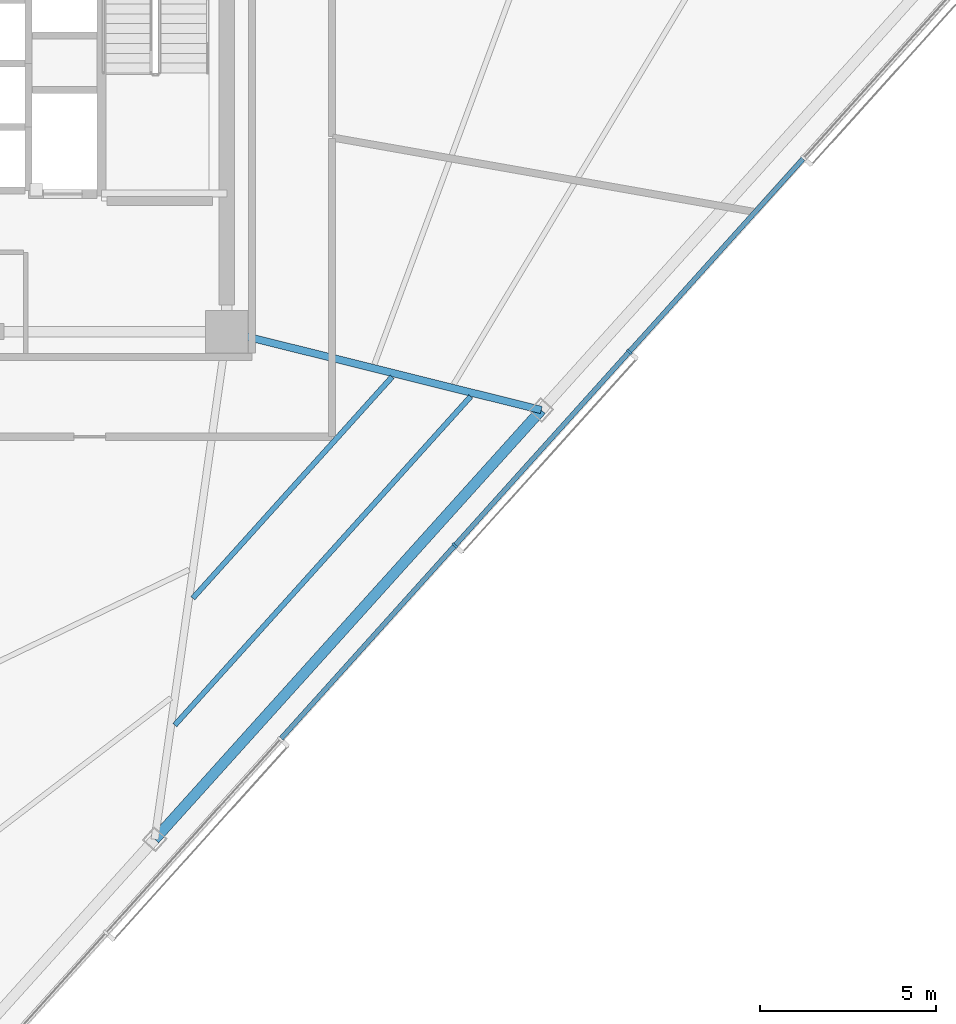
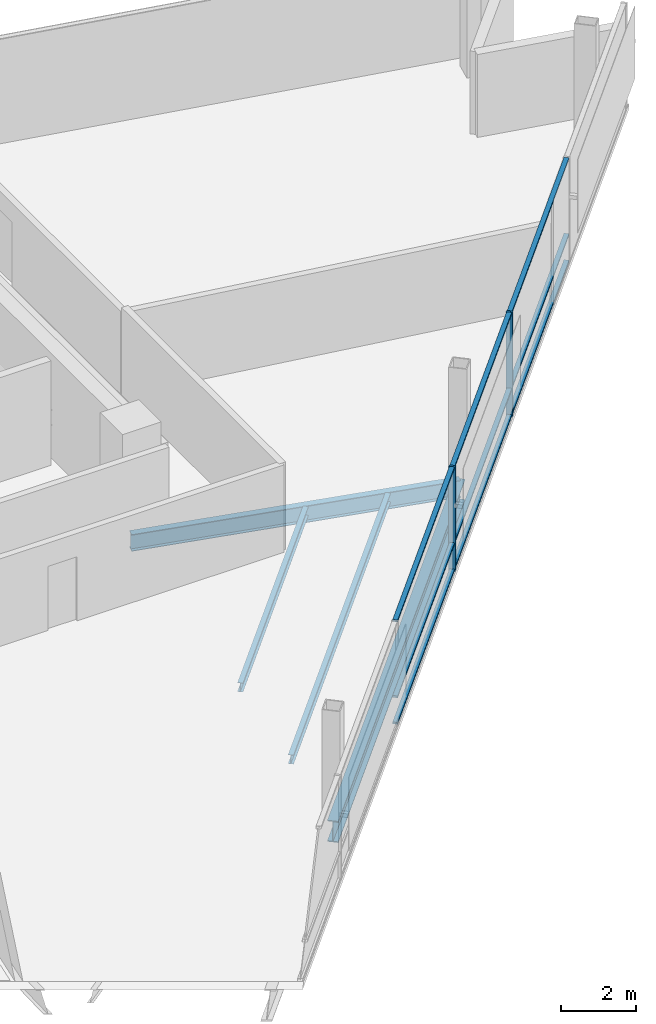
# One storey, part 4 of 16: 11 members, 4 beams, 1 element without a shape of its own.
"""IFC4 building model written with IfcOpenShell, lengths in metres."""

from ifc_helpers import new_model, si_unit, direction, frame, origin, origin_2d, place, context, subcontext, project, spatial, rectangle, i_section, extrude, material, layer, layer_set, material_profile, profile_set, type_object, element, aggregate, save


model = new_model("IFC4")

# Units and contexts
model_context = context("Model", 3, precision=1e-05, world=origin(), true_north=direction((0.0, 1.0)))
body_context = subcontext(model_context, "Body", "Model", "MODEL_VIEW")
ifc_project = project(units=[si_unit("LENGTHUNIT", "METRE"), si_unit("AREAUNIT", "SQUARE_METRE"), si_unit("VOLUMEUNIT", "CUBIC_METRE"), si_unit("PLANEANGLEUNIT", "RADIAN"), si_unit("MASSUNIT", "GRAM", prefix="KILO")], contexts=[model_context])

# Site, building, storey
site_placement = place(None, origin())
site = spatial("IfcSite", under=ifc_project, at=site_placement, CompositionType="ELEMENT")
building_placement = place(site_placement, origin())
building = spatial("IfcBuilding", under=site, at=building_placement, Name="Tharavind Bronze Gate", CompositionType="ELEMENT")
storey_placement = place(building_placement, frame((0.0, 0.0, 211.25)))
storey = spatial("IfcBuildingStorey", under=building, at=storey_placement, Name="L54", CompositionType="ELEMENT", Elevation=211.25)

# Curtain wall, members
ifc_material_1 = material(Name="Anodised Bronze Aluminium", Category="aluminium")
ifc_layer = layer(ifc_material_1, 0.219970703125)
ifc_layer_set = layer_set([ifc_layer], Name="Anodised Bronze Aluminium")
curtain_wall_type = type_object("IfcCurtainWallType", Name="UNITISED CURTAIN WALL MID OFFICE", PredefinedType="USERDEFINED", material=ifc_layer_set)
curtain_wall_placement = place(storey_placement, origin())
curtain_wall = element("IfcCurtainWall", 1, at=curtain_wall_placement, inside=storey, type_object=curtain_wall_type, Name="L54 unitised curtain wall mid office CW-L54-S2", ObjectType="UNITISED CURTAIN WALL", PredefinedType="USERDEFINED")
member_type_1 = type_object("IfcMemberType", Name="CURTAIN WALL BRONZE MULLION 65X180", PredefinedType="MULLION", material=ifc_material_1)
member_1_placement = place(storey_placement, frame((15.365966796875, -13.663818359375, 0.0), z_axis=(0.0, 0.0, 1.0), x_axis=(0.669130606359, 0.743144825477, 0.0)))
member_1 = element("IfcMember", 2, at=member_1_placement, type_object=member_type_1, Name="CW-L54-S2 mullion 5", PredefinedType="MULLION", context=body_context, shape_type="SweptSolid", body=[
    extrude(rectangle(XDim=0.06494140625, YDim=0.179931640625, at=origin_2d()), origin(), (0.0, 0.0, 1.0), 3.419921875),
])
member_2_placement = place(storey_placement, frame((20.310302734375, -8.17236328125, 0.0), z_axis=(0.0, 0.0, 1.0), x_axis=(0.669130606359, 0.743144825477, 0.0)))
member_2 = element("IfcMember", 3, at=member_2_placement, type_object=member_type_1, Name="CW-L54-S2 mullion 6", PredefinedType="MULLION", context=body_context, shape_type="SweptSolid", body=[
    extrude(rectangle(XDim=0.06494140625, YDim=0.179931640625, at=origin_2d()), origin(), (0.0, 0.0, 1.0), 3.419921875),
])
member_type_2 = type_object("IfcMemberType", Name="CURTAIN WALL BRONZE TRANSOM 65X140", PredefinedType="USERDEFINED", material=ifc_material_1)
member_3_placement = place(storey_placement, frame((12.8935546875, -16.409423828125, 0.0), z_axis=(0.0, 0.0, 1.0), x_axis=(0.669130606359, 0.743144825477, 0.0)))
member_3 = element("IfcMember", 4, at=member_3_placement, type_object=member_type_2, Name="CW-L54-S2 transom TB4", ObjectType="TRANSOM", PredefinedType="USERDEFINED", context=body_context, shape_type="SweptSolid", body=[
    extrude(rectangle(XDim=7.33642578125, YDim=0.139892578125, at=origin_2d()), origin(), (0.0, 0.0, 1.0), 0.06494140625),
])
member_4_placement = place(storey_placement, frame((12.8935546875, -16.409423828125, 0.867431640625), z_axis=(0.0, 0.0, 1.0), x_axis=(0.669130606359, 0.743144825477, 0.0)))
member_4 = element("IfcMember", 5, at=member_4_placement, type_object=member_type_2, Name="CW-L54-S2 transom TS4", ObjectType="TRANSOM", PredefinedType="USERDEFINED", context=body_context, shape_type="SweptSolid", body=[
    extrude(rectangle(XDim=7.33642578125, YDim=0.139892578125, at=origin_2d()), origin(), (0.0, 0.0, 1.0), 0.06494140625),
])
member_5_placement = place(storey_placement, frame((12.8935546875, -16.409423828125, 3.35498046875), z_axis=(0.0, 0.0, 1.0), x_axis=(0.669130606359, 0.743144825477, 0.0)))
member_5 = element("IfcMember", 6, at=member_5_placement, type_object=member_type_2, Name="CW-L54-S2 transom TT4", ObjectType="TRANSOM", PredefinedType="USERDEFINED", context=body_context, shape_type="SweptSolid", body=[
    extrude(rectangle(XDim=7.33642578125, YDim=0.139892578125, at=origin_2d()), origin(), (0.0, 0.0, 1.0), 0.06494140625),
])
member_6_placement = place(storey_placement, frame((17.838134765625, -10.91796875, 0.0), z_axis=(0.0, 0.0, 1.0), x_axis=(0.669130606359, 0.743144825477, 0.0)))
member_6 = element("IfcMember", 7, at=member_6_placement, type_object=member_type_2, Name="CW-L54-S2 transom TB5", ObjectType="TRANSOM", PredefinedType="USERDEFINED", context=body_context, shape_type="SweptSolid", body=[
    extrude(rectangle(XDim=7.33642578125, YDim=0.139892578125, at=origin_2d()), origin(), (0.0, 0.0, 1.0), 0.06494140625),
])
member_7_placement = place(storey_placement, frame((17.838134765625, -10.91796875, 0.867431640625), z_axis=(0.0, 0.0, 1.0), x_axis=(0.669130606359, 0.743144825477, 0.0)))
member_7 = element("IfcMember", 8, at=member_7_placement, type_object=member_type_2, Name="CW-L54-S2 transom TS5", ObjectType="TRANSOM", PredefinedType="USERDEFINED", context=body_context, shape_type="SweptSolid", body=[
    extrude(rectangle(XDim=7.33642578125, YDim=0.139892578125, at=origin_2d()), origin(), (0.0, 0.0, 1.0), 0.06494140625),
])
member_8_placement = place(storey_placement, frame((17.838134765625, -10.91796875, 3.35498046875), z_axis=(0.0, 0.0, 1.0), x_axis=(0.669130606359, 0.743144825477, 0.0)))
member_8 = element("IfcMember", 9, at=member_8_placement, type_object=member_type_2, Name="CW-L54-S2 transom TT5", ObjectType="TRANSOM", PredefinedType="USERDEFINED", context=body_context, shape_type="SweptSolid", body=[
    extrude(rectangle(XDim=7.33642578125, YDim=0.139892578125, at=origin_2d()), origin(), (0.0, 0.0, 1.0), 0.06494140625),
])
member_9_placement = place(storey_placement, frame((22.78271484375, -5.426513671875, 0.0), z_axis=(0.0, 0.0, 1.0), x_axis=(0.669130606359, 0.743144825477, 0.0)))
member_9 = element("IfcMember", 10, at=member_9_placement, type_object=member_type_2, Name="CW-L54-S2 transom TB6", ObjectType="TRANSOM", PredefinedType="USERDEFINED", context=body_context, shape_type="SweptSolid", body=[
    extrude(rectangle(XDim=7.33642578125, YDim=0.139892578125, at=origin_2d()), origin(), (0.0, 0.0, 1.0), 0.06494140625),
])
member_10_placement = place(storey_placement, frame((22.78271484375, -5.426513671875, 0.867431640625), z_axis=(0.0, 0.0, 1.0), x_axis=(0.669130606359, 0.743144825477, 0.0)))
member_10 = element("IfcMember", 11, at=member_10_placement, type_object=member_type_2, Name="CW-L54-S2 transom TS6", ObjectType="TRANSOM", PredefinedType="USERDEFINED", context=body_context, shape_type="SweptSolid", body=[
    extrude(rectangle(XDim=7.33642578125, YDim=0.139892578125, at=origin_2d()), origin(), (0.0, 0.0, 1.0), 0.06494140625),
])
member_11_placement = place(storey_placement, frame((22.78271484375, -5.426513671875, 3.35498046875), z_axis=(0.0, 0.0, 1.0), x_axis=(0.669130606359, 0.743144825477, 0.0)))
member_11 = element("IfcMember", 12, at=member_11_placement, type_object=member_type_2, Name="CW-L54-S2 transom TT6", ObjectType="TRANSOM", PredefinedType="USERDEFINED", context=body_context, shape_type="SweptSolid", body=[
    extrude(rectangle(XDim=7.33642578125, YDim=0.139892578125, at=origin_2d()), origin(), (0.0, 0.0, 1.0), 0.06494140625),
])
aggregate(curtain_wall, [member_1, member_2, member_3, member_4, member_5, member_6, member_7, member_8, member_9, member_10, member_11])

# Beams
ifc_material_2 = material(Name="Steel S355", Category="steel")
ifc_material_profile_1 = material_profile(ifc_material_2, i_section(OverallWidth=0.2099609375, OverallDepth=0.550048828125, WebThickness=0.010986328125, FlangeThickness=0.01708984375, at=origin_2d()), Name="IPE550")
ifc_profile_set_1 = profile_set([ifc_material_profile_1], Name="Steel S355")
beam_type_1 = type_object("IfcBeamType", Name="PRIMARY GIRDER IPE550", PredefinedType="USERDEFINED", material=ifc_profile_set_1)
beam_1_placement = place(storey_placement, frame((17.815185546875, -9.82275390625, -0.455078125), z_axis=(-0.970300158772, 0.241904117136, 0.0), x_axis=(-0.241904117136, -0.970300158772, 0.0)))
element("IfcBeam", 13, at=beam_1_placement, inside=storey, type_object=beam_type_1, Name="L54 primary girder ipe550 BM-L54-RAD07", ObjectType="GIRDER", PredefinedType="USERDEFINED", context=body_context, shape_type="SweptSolid", body=[
    extrude(i_section(OverallWidth=0.2099609375, OverallDepth=0.550048828125, WebThickness=0.010986328125, FlangeThickness=0.01708984375, at=origin_2d()), origin(), (0.0, 0.0, 1.0), 9.188232421875),
])
ifc_material_profile_2 = material_profile(ifc_material_2, i_section(OverallWidth=0.300048828125, OverallDepth=0.699951171875, WebThickness=0.01708984375, FlangeThickness=0.031982421875, at=origin_2d()), Name="HE700B")
ifc_profile_set_2 = profile_set([ifc_material_profile_2], Name="Steel S355")
beam_type_2 = type_object("IfcBeamType", Name="RING GIRDER HE700B", PredefinedType="USERDEFINED", material=ifc_profile_set_2)
beam_2_placement = place(storey_placement, frame((6.857421875, -21.992431640625, -0.530029296875), z_axis=(0.669135213786, 0.743140676906, 0.0), x_axis=(-0.743140676906, 0.669135213786, 0.0)))
element("IfcBeam", 14, at=beam_2_placement, inside=storey, type_object=beam_type_2, Name="L54 ring girder he700b BM-L54-PRG06", ObjectType="GIRDER", PredefinedType="USERDEFINED", context=body_context, shape_type="SweptSolid", body=[
    extrude(i_section(OverallWidth=0.300048828125, OverallDepth=0.699951171875, WebThickness=0.01708984375, FlangeThickness=0.031982421875, at=origin_2d()), origin(), (0.0, 0.0, 1.0), 16.3759765625),
])
ifc_material_profile_3 = material_profile(ifc_material_2, i_section(OverallWidth=0.14990234375, OverallDepth=0.300048828125, WebThickness=0.007080078125, FlangeThickness=0.0107421875, at=origin_2d()), Name="IPE300")
ifc_profile_set_3 = profile_set([ifc_material_profile_3], Name="Steel S355")
beam_type_3 = type_object("IfcBeamType", Name="SECONDARY FLOOR JOIST IPE300", PredefinedType="JOIST", material=ifc_profile_set_3)
beam_3_placement = place(storey_placement, frame((7.935791015625, -15.1572265625, -0.330078125), z_axis=(0.669138786469, 0.743137459991, 0.0), x_axis=(-0.743137459991, 0.669138786469, 0.0)))
element("IfcBeam", 15, at=beam_3_placement, inside=storey, type_object=beam_type_3, Name="L54 secondary floor joist ipe300 BM-L54-JSTA06", PredefinedType="JOIST", context=body_context, shape_type="SweptSolid", body=[
    extrude(i_section(OverallWidth=0.14990234375, OverallDepth=0.300048828125, WebThickness=0.007080078125, FlangeThickness=0.0107421875, at=origin_2d()), origin(), (0.0, 0.0, 1.0), 8.446044921875),
])
beam_4_placement = place(storey_placement, frame((7.425048828125, -18.75537109375, -0.330078125), z_axis=(0.669137887746, 0.743138269222, 0.0), x_axis=(-0.743138269222, 0.669137887746, 0.0)))
element("IfcBeam", 16, at=beam_4_placement, inside=storey, type_object=beam_type_3, Name="L54 secondary floor joist ipe300 BM-L54-JSTB06", PredefinedType="JOIST", context=body_context, shape_type="SweptSolid", body=[
    extrude(i_section(OverallWidth=0.14990234375, OverallDepth=0.300048828125, WebThickness=0.007080078125, FlangeThickness=0.0107421875, at=origin_2d()), origin(), (0.0, 0.0, 1.0), 12.540283203125),
])

save(model, "model.ifc")
